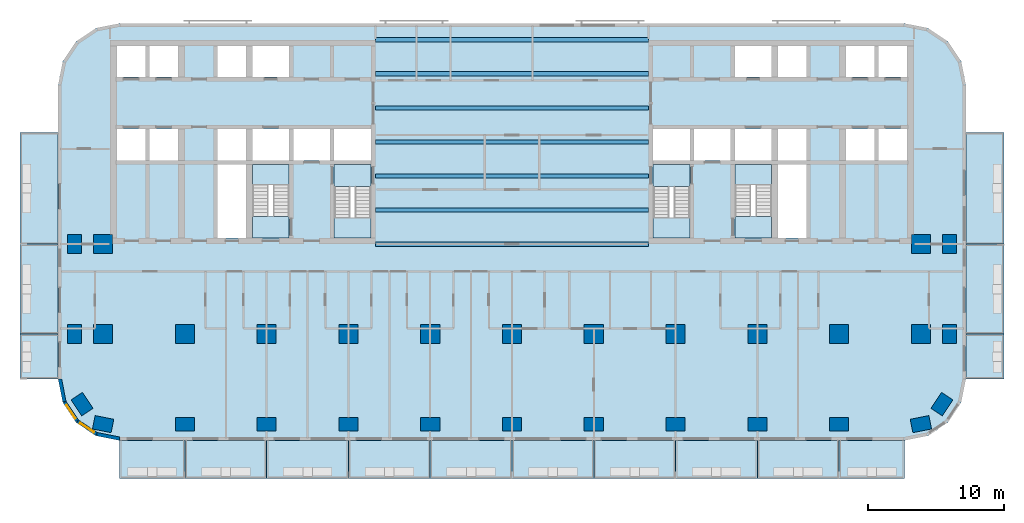
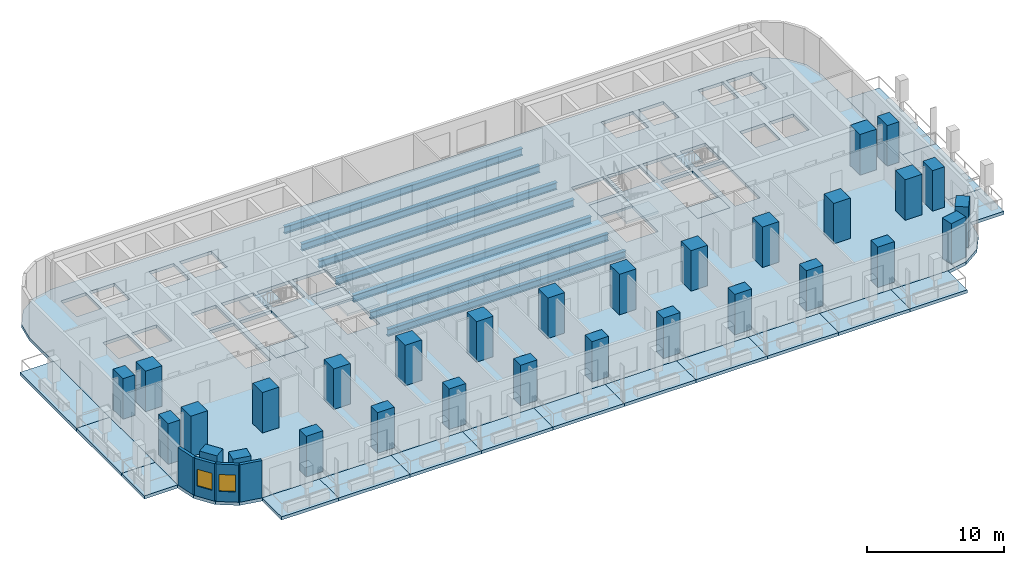
# One storey, part 1 of 13: 30 columns, 25 slabs, 7 beams, 4 walls, 2 windows, 2 openings, 4 elements without a shape of their own.
"""IFC4 building model written with IfcOpenShell, lengths in metres."""

from ifc_helpers import new_model, si_unit, direction, frame, frame_2d, origin, origin_2d, place, context, subcontext, project, spatial, polyline, rectangle, i_section, outline, extrude, material, layer, layer_set, material_profile, profile_set, type_object, element, fill, aggregate, save


model = new_model("IFC4")

# Units and contexts
model_context = context("Model", 3, precision=1e-05, world=origin(), true_north=direction((0.0, 1.0)))
body_context = subcontext(model_context, "Body", "Model", "MODEL_VIEW")
ifc_project = project(units=[si_unit("LENGTHUNIT", "METRE"), si_unit("AREAUNIT", "SQUARE_METRE"), si_unit("VOLUMEUNIT", "CUBIC_METRE"), si_unit("PLANEANGLEUNIT", "RADIAN"), si_unit("MASSUNIT", "GRAM", prefix="KILO")], contexts=[model_context])

# Site, building, storey
site_placement = place(None, origin())
site = spatial("IfcSite", under=ifc_project, at=site_placement, CompositionType="ELEMENT")
building_placement = place(site_placement, origin())
building = spatial("IfcBuilding", under=site, at=building_placement, Name="Torana Hotel and Residences", CompositionType="ELEMENT")
storey_placement = place(building_placement, frame((0.0, 0.0, 60.0)))
storey = spatial("IfcBuildingStorey", under=building, at=storey_placement, Name="L14", CompositionType="ELEMENT", Elevation=60.0)

# Columns
ifc_material_1 = material(Name="Concrete C70/85", Category="concrete")
ifc_material_profile_1 = material_profile(ifc_material_1, rectangle(XDim=1.39990234375, YDim=1.0, at=origin_2d()), Name="RC 1400x1000")
ifc_profile_set_1 = profile_set([ifc_material_profile_1], Name="Concrete C70/85")
column_type_1 = type_object("IfcColumnType", Name="COLUMN RC 1400x1000 C70/85", PredefinedType="COLUMN", material=ifc_profile_set_1)
for number, where, z_axis, x_axis, name in (
    (1, (-32.10009765625, -21.60009765625, 0.0), (0.0, 0.0, 1.0), (0.0, 1.0, 0.0), "Column L14"),
    (2, (-32.10009765625, -15.0, 0.0), (0.0, 0.0, 1.0), (0.0, 1.0, 0.0), "Column L14"),
    (3, (-31.5439453125, -26.73291015625, 0.0), (0.0, 0.0, 1.0), (-0.555584744817, 0.831459915646, 0.0), "Column L14"),
    (4, (-30.0, -28.199951171875, 0.0), (0.0, 0.0, 1.0), (-0.980792089743, 0.195056086032, 0.0), "Column L14"),
    (5, (-24.0, -28.199951171875, 0.0), (0.0, 0.0, 1.0), (1.0, 0.0, 0.0), "Column L14"),
    (6, (-18.0, -28.199951171875, 0.0), (0.0, 0.0, 1.0), (1.0, 0.0, 0.0), "Column L14"),
    (7, (-12.0, -28.199951171875, 0.0), (0.0, 0.0, 1.0), (1.0, 0.0, 0.0), "Column L14"),
    (8, (-6.0, -28.199951171875, 0.0), (0.0, 0.0, 1.0), (1.0, 0.0, 0.0), "Column L14"),
    (9, (0.0, -28.199951171875, 0.0), (0.0, 0.0, 1.0), (1.0, 0.0, 0.0), "Column L14"),
    (10, (6.0, -28.199951171875, 0.0), (0.0, 0.0, 1.0), (1.0, 0.0, 0.0), "Column L14"),
    (11, (12.0, -28.199951171875, 0.0), (0.0, 0.0, 1.0), (1.0, 0.0, 0.0), "Column L14"),
    (12, (18.0, -28.199951171875, 0.0), (0.0, 0.0, 1.0), (1.0, 0.0, 0.0), "Column L14"),
    (13, (24.0, -28.199951171875, 0.0), (0.0, 0.0, 1.0), (1.0, 0.0, 0.0), "Column L14"),
    (14, (30.0, -28.199951171875, 0.0), (0.0, 0.0, 1.0), (0.980792089743, 0.195056086032, 0.0), "Column L14"),
    (15, (31.5439453125, -26.73291015625, 0.0), (0.0, 0.0, 1.0), (0.555584744817, 0.831459915646, 0.0), "Column L14"),
    (16, (32.10009765625, -21.60009765625, 0.0), (0.0, 0.0, 1.0), (0.0, 1.0, 0.0), "Column L14"),
    (17, (32.10009765625, -15.0, 0.0), (0.0, 0.0, 1.0), (0.0, 1.0, 0.0), "Column L14"),
):
    element("IfcColumn", number, at=place(storey_placement, frame(where, z_axis=z_axis, x_axis=x_axis)), inside=storey, type_object=column_type_1, Name=name, PredefinedType="COLUMN", context=body_context, shape_type="SweptSolid", body=[
        extrude(rectangle(XDim=1.39990234375, YDim=1.0, at=origin_2d()), origin(), (0.0, 0.0, 1.0), 3.60009765625),
    ])
ifc_material_2 = material(Name="Concrete C70/85", Category="concrete")
ifc_material_profile_2 = material_profile(ifc_material_2, rectangle(XDim=1.39990234375, YDim=1.39990234375, at=origin_2d()), Name="RC 1400x1400")
ifc_profile_set_2 = profile_set([ifc_material_profile_2], Name="Concrete C70/85")
column_type_2 = type_object("IfcColumnType", Name="COLUMN RC 1400x1400 C70/85", PredefinedType="COLUMN", material=ifc_profile_set_2)
for number, where, z_axis, x_axis, name in (
    (18, (-30.0, -21.60009765625, 0.0), (0.0, 0.0, 1.0), (1.0, 0.0, 0.0), "Column L14"),
    (19, (-30.0, -15.0, 0.0), (0.0, 0.0, 1.0), (1.0, 0.0, 0.0), "Column L14"),
    (20, (-24.0, -21.60009765625, 0.0), (0.0, 0.0, 1.0), (1.0, 0.0, 0.0), "Column L14"),
    (21, (-18.0, -21.60009765625, 0.0), (0.0, 0.0, 1.0), (1.0, 0.0, 0.0), "Column L14"),
    (22, (-12.0, -21.60009765625, 0.0), (0.0, 0.0, 1.0), (1.0, 0.0, 0.0), "Column L14"),
    (23, (-6.0, -21.60009765625, 0.0), (0.0, 0.0, 1.0), (1.0, 0.0, 0.0), "Column L14"),
    (24, (0.0, -21.60009765625, 0.0), (0.0, 0.0, 1.0), (1.0, 0.0, 0.0), "Column L14"),
    (25, (6.0, -21.60009765625, 0.0), (0.0, 0.0, 1.0), (1.0, 0.0, 0.0), "Column L14"),
    (26, (12.0, -21.60009765625, 0.0), (0.0, 0.0, 1.0), (1.0, 0.0, 0.0), "Column L14"),
    (27, (18.0, -21.60009765625, 0.0), (0.0, 0.0, 1.0), (1.0, 0.0, 0.0), "Column L14"),
    (28, (24.0, -21.60009765625, 0.0), (0.0, 0.0, 1.0), (1.0, 0.0, 0.0), "Column L14"),
    (29, (30.0, -21.60009765625, 0.0), (0.0, 0.0, 1.0), (1.0, 0.0, 0.0), "Column L14"),
    (30, (30.0, -15.0, 0.0), (0.0, 0.0, 1.0), (1.0, 0.0, 0.0), "Column L14"),
):
    element("IfcColumn", number, at=place(storey_placement, frame(where, z_axis=z_axis, x_axis=x_axis)), inside=storey, type_object=column_type_2, Name=name, PredefinedType="COLUMN", context=body_context, shape_type="SweptSolid", body=[
        extrude(rectangle(XDim=1.39990234375, YDim=1.39990234375, at=origin_2d()), origin(), (0.0, 0.0, 1.0), 3.60009765625),
    ])

# Beams
ifc_material_3 = material(Name="Steel S355", Category="steel")
ifc_material_profile_3 = material_profile(ifc_material_3, i_section(OverallWidth=0.311279296875, OverallDepth=0.6357421875, WebThickness=0.018310546875, FlangeThickness=0.031494140625, FilletRadius=0.0166015625, at=origin_2d()), Name="610x305x238 UB")
ifc_profile_set_3 = profile_set([ifc_material_profile_3], Name="Steel S355")
beam_type = type_object("IfcBeamType", Name="STEEL GIRDER 610x305x238 UB", PredefinedType="BEAM", material=ifc_profile_set_3)
for number, where, z_axis, x_axis, name in (
    (31, (-10.0, -15.0, -0.597900390625), (1.0, 0.0, 0.0), (0.0, 1.0, 0.0), "Floor girder"),
    (32, (-10.0, -12.5, -0.597900390625), (1.0, 0.0, 0.0), (0.0, 1.0, 0.0), "Floor girder"),
    (33, (-10.0, -10.0, -0.597900390625), (1.0, 0.0, 0.0), (0.0, 1.0, 0.0), "Floor girder"),
    (34, (-10.0, -7.5, -0.597900390625), (1.0, 0.0, 0.0), (0.0, 1.0, 0.0), "Floor girder"),
    (35, (-10.0, -5.0, -0.597900390625), (1.0, 0.0, 0.0), (0.0, 1.0, 0.0), "Floor girder"),
    (36, (-10.0, -2.5, -0.597900390625), (1.0, 0.0, 0.0), (0.0, 1.0, 0.0), "Floor girder"),
    (37, (-10.0, 0.0, -0.597900390625), (1.0, 0.0, 0.0), (0.0, 1.0, 0.0), "Floor girder"),
):
    element("IfcBeam", number, at=place(storey_placement, frame(where, z_axis=z_axis, x_axis=x_axis)), inside=storey, type_object=beam_type, Name=name, PredefinedType="BEAM", context=body_context, shape_type="SweptSolid", body=[
        extrude(i_section(OverallWidth=0.311279296875, OverallDepth=0.6357421875, WebThickness=0.018310546875, FlangeThickness=0.031494140625, FilletRadius=0.0166015625, at=origin_2d()), origin(), (0.0, 0.0, 1.0), 20.0),
    ])

# Slabs
ifc_material_4 = material(Name="Concrete C40/50", Category="concrete")
ifc_layer_1 = layer(ifc_material_4, 0.280029296875)
ifc_layer_set_1 = layer_set([ifc_layer_1], Name="BAL1 BALCONY SLAB 280")
slab_type_1 = type_object("IfcSlabType", Name="BAL1 BALCONY SLAB 280", PredefinedType="USERDEFINED", material=ifc_layer_set_1)
slab_1_placement = place(storey_placement, frame((0.0, 0.0, -0.280029296875)))
element("IfcSlab", 38, at=slab_1_placement, inside=storey, type_object=slab_type_1, Name="Balcony 01", ObjectType="BALCONY", PredefinedType="USERDEFINED", context=body_context, shape_type="SweptSolid", body=[
    extrude(outline(polyline([(-28.800048828125, -32.199951171875), (-24.0, -32.199951171875), (-24.0, -29.39990234375), (-28.800048828125, -29.39990234375), (-28.800048828125, -32.199951171875)])), origin(), (0.0, 0.0, 1.0), 0.280029296875),
])
slab_2_placement = place(storey_placement, frame((0.0, 0.0, -0.280029296875)))
element("IfcSlab", 39, at=slab_2_placement, inside=storey, type_object=slab_type_1, Name="Balcony 02", ObjectType="BALCONY", PredefinedType="USERDEFINED", context=body_context, shape_type="SweptSolid", body=[
    extrude(outline(polyline([(-24.0, -32.199951171875), (-18.0, -32.199951171875), (-18.0, -29.39990234375), (-24.0, -29.39990234375), (-24.0, -32.199951171875)])), origin(), (0.0, 0.0, 1.0), 0.280029296875),
])
slab_3_placement = place(storey_placement, frame((0.0, 0.0, -0.280029296875)))
element("IfcSlab", 40, at=slab_3_placement, inside=storey, type_object=slab_type_1, Name="Balcony 03", ObjectType="BALCONY", PredefinedType="USERDEFINED", context=body_context, shape_type="SweptSolid", body=[
    extrude(outline(polyline([(-18.0, -32.199951171875), (-12.0, -32.199951171875), (-12.0, -29.39990234375), (-18.0, -29.39990234375), (-18.0, -32.199951171875)])), origin(), (0.0, 0.0, 1.0), 0.280029296875),
])
slab_4_placement = place(storey_placement, frame((0.0, 0.0, -0.280029296875)))
element("IfcSlab", 41, at=slab_4_placement, inside=storey, type_object=slab_type_1, Name="Balcony 04", ObjectType="BALCONY", PredefinedType="USERDEFINED", context=body_context, shape_type="SweptSolid", body=[
    extrude(outline(polyline([(-12.0, -32.199951171875), (-6.0, -32.199951171875), (-6.0, -29.39990234375), (-12.0, -29.39990234375), (-12.0, -32.199951171875)])), origin(), (0.0, 0.0, 1.0), 0.280029296875),
])
slab_5_placement = place(storey_placement, frame((0.0, 0.0, -0.280029296875)))
element("IfcSlab", 42, at=slab_5_placement, inside=storey, type_object=slab_type_1, Name="Balcony 05", ObjectType="BALCONY", PredefinedType="USERDEFINED", context=body_context, shape_type="SweptSolid", body=[
    extrude(outline(polyline([(-6.0, -32.199951171875), (0.0, -32.199951171875), (0.0, -29.39990234375), (-6.0, -29.39990234375), (-6.0, -32.199951171875)])), origin(), (0.0, 0.0, 1.0), 0.280029296875),
])
slab_6_placement = place(storey_placement, frame((0.0, 0.0, -0.280029296875)))
element("IfcSlab", 43, at=slab_6_placement, inside=storey, type_object=slab_type_1, Name="Balcony 06", ObjectType="BALCONY", PredefinedType="USERDEFINED", context=body_context, shape_type="SweptSolid", body=[
    extrude(outline(polyline([(0.0, -32.199951171875), (6.0, -32.199951171875), (6.0, -29.39990234375), (0.0, -29.39990234375), (0.0, -32.199951171875)])), origin(), (0.0, 0.0, 1.0), 0.280029296875),
])
slab_7_placement = place(storey_placement, frame((0.0, 0.0, -0.280029296875)))
element("IfcSlab", 44, at=slab_7_placement, inside=storey, type_object=slab_type_1, Name="Balcony 07", ObjectType="BALCONY", PredefinedType="USERDEFINED", context=body_context, shape_type="SweptSolid", body=[
    extrude(outline(polyline([(6.0, -32.199951171875), (12.0, -32.199951171875), (12.0, -29.39990234375), (6.0, -29.39990234375), (6.0, -32.199951171875)])), origin(), (0.0, 0.0, 1.0), 0.280029296875),
])
slab_8_placement = place(storey_placement, frame((0.0, 0.0, -0.280029296875)))
element("IfcSlab", 45, at=slab_8_placement, inside=storey, type_object=slab_type_1, Name="Balcony 08", ObjectType="BALCONY", PredefinedType="USERDEFINED", context=body_context, shape_type="SweptSolid", body=[
    extrude(outline(polyline([(12.0, -32.199951171875), (18.0, -32.199951171875), (18.0, -29.39990234375), (12.0, -29.39990234375), (12.0, -32.199951171875)])), origin(), (0.0, 0.0, 1.0), 0.280029296875),
])
slab_9_placement = place(storey_placement, frame((0.0, 0.0, -0.280029296875)))
element("IfcSlab", 46, at=slab_9_placement, inside=storey, type_object=slab_type_1, Name="Balcony 09", ObjectType="BALCONY", PredefinedType="USERDEFINED", context=body_context, shape_type="SweptSolid", body=[
    extrude(outline(polyline([(18.0, -32.199951171875), (24.0, -32.199951171875), (24.0, -29.39990234375), (18.0, -29.39990234375), (18.0, -32.199951171875)])), origin(), (0.0, 0.0, 1.0), 0.280029296875),
])
slab_10_placement = place(storey_placement, frame((0.0, 0.0, -0.280029296875)))
element("IfcSlab", 47, at=slab_10_placement, inside=storey, type_object=slab_type_1, Name="Balcony 10", ObjectType="BALCONY", PredefinedType="USERDEFINED", context=body_context, shape_type="SweptSolid", body=[
    extrude(outline(polyline([(24.0, -32.199951171875), (28.800048828125, -32.199951171875), (28.800048828125, -29.39990234375), (24.0, -29.39990234375), (24.0, -32.199951171875)])), origin(), (0.0, 0.0, 1.0), 0.280029296875),
])
slab_11_placement = place(storey_placement, frame((0.0, 0.0, -0.280029296875)))
element("IfcSlab", 48, at=slab_11_placement, inside=storey, type_object=slab_type_1, Name="Balcony 11", ObjectType="BALCONY", PredefinedType="USERDEFINED", context=body_context, shape_type="SweptSolid", body=[
    extrude(outline(polyline([(-36.10009765625, -24.89990234375), (-33.300048828125, -24.89990234375), (-33.300048828125, -21.60009765625), (-36.10009765625, -21.60009765625), (-36.10009765625, -24.89990234375)])), origin(), (0.0, 0.0, 1.0), 0.280029296875),
])
slab_12_placement = place(storey_placement, frame((0.0, 0.0, -0.280029296875)))
element("IfcSlab", 49, at=slab_12_placement, inside=storey, type_object=slab_type_1, Name="Balcony 12", ObjectType="BALCONY", PredefinedType="USERDEFINED", context=body_context, shape_type="SweptSolid", body=[
    extrude(outline(polyline([(-36.10009765625, -21.60009765625), (-33.300048828125, -21.60009765625), (-33.300048828125, -15.0), (-36.10009765625, -15.0), (-36.10009765625, -21.60009765625)])), origin(), (0.0, 0.0, 1.0), 0.280029296875),
])
slab_13_placement = place(storey_placement, frame((0.0, 0.0, -0.280029296875)))
element("IfcSlab", 50, at=slab_13_placement, inside=storey, type_object=slab_type_1, Name="Balcony 13", ObjectType="BALCONY", PredefinedType="USERDEFINED", context=body_context, shape_type="SweptSolid", body=[
    extrude(outline(polyline([(-36.10009765625, -15.0), (-33.300048828125, -15.0), (-33.300048828125, -6.800048828125), (-36.10009765625, -6.800048828125), (-36.10009765625, -15.0)])), origin(), (0.0, 0.0, 1.0), 0.280029296875),
])
slab_14_placement = place(storey_placement, frame((0.0, 0.0, -0.280029296875)))
element("IfcSlab", 51, at=slab_14_placement, inside=storey, type_object=slab_type_1, Name="Balcony 14", ObjectType="BALCONY", PredefinedType="USERDEFINED", context=body_context, shape_type="SweptSolid", body=[
    extrude(outline(polyline([(33.300048828125, -24.89990234375), (36.10009765625, -24.89990234375), (36.10009765625, -21.60009765625), (33.300048828125, -21.60009765625), (33.300048828125, -24.89990234375)])), origin(), (0.0, 0.0, 1.0), 0.280029296875),
])
slab_15_placement = place(storey_placement, frame((0.0, 0.0, -0.280029296875)))
element("IfcSlab", 52, at=slab_15_placement, inside=storey, type_object=slab_type_1, Name="Balcony 15", ObjectType="BALCONY", PredefinedType="USERDEFINED", context=body_context, shape_type="SweptSolid", body=[
    extrude(outline(polyline([(33.300048828125, -21.60009765625), (36.10009765625, -21.60009765625), (36.10009765625, -15.0), (33.300048828125, -15.0), (33.300048828125, -21.60009765625)])), origin(), (0.0, 0.0, 1.0), 0.280029296875),
])
slab_16_placement = place(storey_placement, frame((0.0, 0.0, -0.280029296875)))
element("IfcSlab", 53, at=slab_16_placement, inside=storey, type_object=slab_type_1, Name="Balcony 16", ObjectType="BALCONY", PredefinedType="USERDEFINED", context=body_context, shape_type="SweptSolid", body=[
    extrude(outline(polyline([(33.300048828125, -15.0), (36.10009765625, -15.0), (36.10009765625, -6.800048828125), (33.300048828125, -6.800048828125), (33.300048828125, -15.0)])), origin(), (0.0, 0.0, 1.0), 0.280029296875),
])
ifc_material_5 = material(Name="Concrete C40/50", Category="concrete")
ifc_layer_2 = layer(ifc_material_5, 0.280029296875)
ifc_layer_set_2 = layer_set([ifc_layer_2], Name="FLOOR SLAB PT 280")
slab_type_2 = type_object("IfcSlabType", Name="FLOOR SLAB PT 280", PredefinedType="FLOOR", material=ifc_layer_set_2)
slab_17_placement = place(storey_placement, frame((0.0, 0.0, -0.280029296875)))
element("IfcSlab", 54, at=slab_17_placement, inside=storey, type_object=slab_type_2, Name="Floor slab", PredefinedType="FLOOR", context=body_context, shape_type="SweptSolid", body=[
    extrude(outline(polyline([(33.300048828125, -3.300048828125), (32.95751953125, -1.577880859375), (31.98193359375, -0.117919921875), (30.522216796875, 0.857421875), (28.800048828125, 1.199951171875), (-28.800048828125, 1.199951171875), (-30.522216796875, 0.857421875), (-31.98193359375, -0.117919921875), (-32.95751953125, -1.577880859375), (-33.300048828125, -3.300048828125), (-33.300048828125, -24.89990234375), (-32.95751953125, -26.6220703125), (-31.98193359375, -28.08203125), (-30.522216796875, -29.0576171875), (-28.800048828125, -29.39990234375), (28.800048828125, -29.39990234375), (30.522216796875, -29.0576171875), (31.98193359375, -28.08203125), (32.95751953125, -26.6220703125), (33.300048828125, -24.89990234375), (33.300048828125, -3.300048828125)]), holes=[polyline([(-13.050048828125, -14.550048828125), (-10.35009765625, -14.550048828125), (-10.35009765625, -9.14990234375), (-13.050048828125, -9.14990234375), (-13.050048828125, -14.550048828125)]), polyline([(-19.050048828125, -14.550048828125), (-16.35009765625, -14.550048828125), (-16.35009765625, -9.14990234375), (-19.050048828125, -9.14990234375), (-19.050048828125, -14.550048828125)]), polyline([(-19.050048828125, -2.75), (-16.35009765625, -2.75), (-16.35009765625, -0.449951171875), (-19.050048828125, -0.449951171875), (-19.050048828125, -2.75)]), polyline([(-26.60009765625, -2.75), (-24.5, -2.75), (-24.5, -0.449951171875), (-26.60009765625, -0.449951171875), (-26.60009765625, -2.75)]), polyline([(-29.0, -2.75), (-26.89990234375, -2.75), (-26.89990234375, -0.449951171875), (-29.0, -0.449951171875), (-29.0, -2.75)]), polyline([(-26.60009765625, -8.85009765625), (-24.5, -8.85009765625), (-24.5, -6.550048828125), (-26.60009765625, -6.550048828125), (-26.60009765625, -8.85009765625)]), polyline([(-29.0, -8.85009765625), (-26.89990234375, -8.85009765625), (-26.89990234375, -6.550048828125), (-29.0, -6.550048828125), (-29.0, -8.85009765625)]), polyline([(-21.60009765625, -2.75), (-19.5, -2.75), (-19.5, -0.449951171875), (-21.60009765625, -0.449951171875), (-21.60009765625, -2.75)]), polyline([(-21.60009765625, -8.85009765625), (-19.5, -8.85009765625), (-19.5, -6.550048828125), (-21.60009765625, -6.550048828125), (-21.60009765625, -8.85009765625)]), polyline([(-13.050048828125, -8.85009765625), (-10.35009765625, -8.85009765625), (-10.35009765625, -6.550048828125), (-13.050048828125, -6.550048828125), (-13.050048828125, -8.85009765625)]), polyline([(-16.050048828125, -8.85009765625), (-13.35009765625, -8.85009765625), (-13.35009765625, -6.550048828125), (-16.050048828125, -6.550048828125), (-16.050048828125, -8.85009765625)]), polyline([(-19.050048828125, -8.85009765625), (-16.35009765625, -8.85009765625), (-16.35009765625, -6.550048828125), (-19.050048828125, -6.550048828125), (-19.050048828125, -8.85009765625)]), polyline([(-21.60009765625, -14.550048828125), (-19.5, -14.550048828125), (-19.5, -9.14990234375), (-21.60009765625, -9.14990234375), (-21.60009765625, -14.550048828125)]), polyline([(10.35009765625, -14.550048828125), (13.050048828125, -14.550048828125), (13.050048828125, -9.14990234375), (10.35009765625, -9.14990234375), (10.35009765625, -14.550048828125)]), polyline([(16.35009765625, -14.550048828125), (19.050048828125, -14.550048828125), (19.050048828125, -9.14990234375), (16.35009765625, -9.14990234375), (16.35009765625, -14.550048828125)]), polyline([(16.35009765625, -2.75), (19.050048828125, -2.75), (19.050048828125, -0.449951171875), (16.35009765625, -0.449951171875), (16.35009765625, -2.75)]), polyline([(24.5, -2.75), (26.60009765625, -2.75), (26.60009765625, -0.449951171875), (24.5, -0.449951171875), (24.5, -2.75)]), polyline([(26.89990234375, -2.75), (29.0, -2.75), (29.0, -0.449951171875), (26.89990234375, -0.449951171875), (26.89990234375, -2.75)]), polyline([(24.5, -8.85009765625), (26.60009765625, -8.85009765625), (26.60009765625, -6.550048828125), (24.5, -6.550048828125), (24.5, -8.85009765625)]), polyline([(26.89990234375, -8.85009765625), (29.0, -8.85009765625), (29.0, -6.550048828125), (26.89990234375, -6.550048828125), (26.89990234375, -8.85009765625)]), polyline([(19.5, -2.75), (21.60009765625, -2.75), (21.60009765625, -0.449951171875), (19.5, -0.449951171875), (19.5, -2.75)]), polyline([(19.5, -8.85009765625), (21.60009765625, -8.85009765625), (21.60009765625, -6.550048828125), (19.5, -6.550048828125), (19.5, -8.85009765625)]), polyline([(10.35009765625, -8.85009765625), (13.050048828125, -8.85009765625), (13.050048828125, -6.550048828125), (10.35009765625, -6.550048828125), (10.35009765625, -8.85009765625)]), polyline([(13.35009765625, -8.85009765625), (16.050048828125, -8.85009765625), (16.050048828125, -6.550048828125), (13.35009765625, -6.550048828125), (13.35009765625, -8.85009765625)]), polyline([(16.35009765625, -8.85009765625), (19.050048828125, -8.85009765625), (19.050048828125, -6.550048828125), (16.35009765625, -6.550048828125), (16.35009765625, -8.85009765625)]), polyline([(19.5, -14.550048828125), (21.60009765625, -14.550048828125), (21.60009765625, -9.14990234375), (19.5, -9.14990234375), (19.5, -14.550048828125)])]), origin(), (0.0, 0.0, 1.0), 0.280029296875),
])

# Stair, slabs
ifc_material_6 = material(Name="Concrete C40/50 precast", Category="concrete")
stair_type_1 = type_object("IfcStairType", Name="STAIR ST1 HALF TURN 1200", PredefinedType="HALF_TURN_STAIR", material=ifc_material_6)
stair_1_placement = place(storey_placement, origin())
stair_1 = element("IfcStair", 55, at=stair_1_placement, inside=storey, type_object=stair_type_1, Name="Stair ST1 L14", PredefinedType="HALF_TURN_STAIR")
ifc_material_7 = material(Name="Concrete C40/50 precast", Category="concrete")
ifc_layer_3 = layer(ifc_material_7, 0.199951171875)
ifc_layer_set_3 = layer_set([ifc_layer_3], Name="STAIR LANDING 200")
slab_type_3 = type_object("IfcSlabType", Name="STAIR LANDING 200", PredefinedType="LANDING", material=ifc_layer_set_3)
slab_18_placement = place(storey_placement, frame((0.0, 0.0, 1.60009765625)))
slab_18 = element("IfcSlab", 56, at=slab_18_placement, type_object=slab_type_3, Name="ST1 landing 1", PredefinedType="LANDING", context=body_context, shape_type="SweptSolid", body=[
    extrude(outline(polyline([(-13.050048828125, -14.550048828125), (-10.35009765625, -14.550048828125), (-10.35009765625, -13.090087890625), (-13.050048828125, -13.090087890625), (-13.050048828125, -14.550048828125)])), origin(), (0.0, 0.0, 1.0), 0.199951171875),
])
slab_19_placement = place(storey_placement, frame((0.0, 0.0, -0.199951171875)))
slab_19 = element("IfcSlab", 57, at=slab_19_placement, type_object=slab_type_3, Name="ST1 landing 2", PredefinedType="LANDING", context=body_context, shape_type="SweptSolid", body=[
    extrude(outline(polyline([(-13.050048828125, -10.75), (-10.35009765625, -10.75), (-10.35009765625, -9.14990234375), (-13.050048828125, -9.14990234375), (-13.050048828125, -10.75)])), origin(), (0.0, 0.0, 1.0), 0.199951171875),
])
aggregate(stair_1, [slab_18, slab_19])

ifc_material_8 = material(Name="Concrete C40/50 precast", Category="concrete")
stair_type_2 = type_object("IfcStairType", Name="STAIR ST2 HALF TURN 1200", PredefinedType="HALF_TURN_STAIR", material=ifc_material_8)
stair_2_placement = place(storey_placement, origin())
stair_2 = element("IfcStair", 58, at=stair_2_placement, inside=storey, type_object=stair_type_2, Name="Stair ST2 L14", PredefinedType="HALF_TURN_STAIR")
slab_20_placement = place(storey_placement, frame((0.0, 0.0, 1.60009765625)))
slab_20 = element("IfcSlab", 59, at=slab_20_placement, type_object=slab_type_3, Name="ST2 landing 1", PredefinedType="LANDING", context=body_context, shape_type="SweptSolid", body=[
    extrude(outline(polyline([(-19.050048828125, -10.610107421875), (-16.35009765625, -10.610107421875), (-16.35009765625, -9.14990234375), (-19.050048828125, -9.14990234375), (-19.050048828125, -10.610107421875)])), origin(), (0.0, 0.0, 1.0), 0.199951171875),
])
slab_21_placement = place(storey_placement, frame((0.0, 0.0, -0.199951171875)))
slab_21 = element("IfcSlab", 60, at=slab_21_placement, type_object=slab_type_3, Name="ST2 landing 2", PredefinedType="LANDING", context=body_context, shape_type="SweptSolid", body=[
    extrude(outline(polyline([(-19.050048828125, -14.550048828125), (-16.35009765625, -14.550048828125), (-16.35009765625, -12.949951171875), (-19.050048828125, -12.949951171875), (-19.050048828125, -14.550048828125)])), origin(), (0.0, 0.0, 1.0), 0.199951171875),
])
aggregate(stair_2, [slab_20, slab_21])

ifc_material_9 = material(Name="Concrete C40/50 precast", Category="concrete")
stair_type_3 = type_object("IfcStairType", Name="STAIR ST3 HALF TURN 1200", PredefinedType="HALF_TURN_STAIR", material=ifc_material_9)
stair_3_placement = place(storey_placement, origin())
stair_3 = element("IfcStair", 61, at=stair_3_placement, inside=storey, type_object=stair_type_3, Name="Stair ST3 L14", PredefinedType="HALF_TURN_STAIR")
slab_22_placement = place(storey_placement, frame((0.0, 0.0, 1.60009765625)))
slab_22 = element("IfcSlab", 62, at=slab_22_placement, type_object=slab_type_3, Name="ST3 landing 1", PredefinedType="LANDING", context=body_context, shape_type="SweptSolid", body=[
    extrude(outline(polyline([(10.35009765625, -14.550048828125), (13.050048828125, -14.550048828125), (13.050048828125, -13.090087890625), (10.35009765625, -13.090087890625), (10.35009765625, -14.550048828125)])), origin(), (0.0, 0.0, 1.0), 0.199951171875),
])
slab_23_placement = place(storey_placement, frame((0.0, 0.0, -0.199951171875)))
slab_23 = element("IfcSlab", 63, at=slab_23_placement, type_object=slab_type_3, Name="ST3 landing 2", PredefinedType="LANDING", context=body_context, shape_type="SweptSolid", body=[
    extrude(outline(polyline([(10.35009765625, -10.75), (13.050048828125, -10.75), (13.050048828125, -9.14990234375), (10.35009765625, -9.14990234375), (10.35009765625, -10.75)])), origin(), (0.0, 0.0, 1.0), 0.199951171875),
])
aggregate(stair_3, [slab_22, slab_23])

ifc_material_10 = material(Name="Concrete C40/50 precast", Category="concrete")
stair_type_4 = type_object("IfcStairType", Name="STAIR ST4 HALF TURN 1200", PredefinedType="HALF_TURN_STAIR", material=ifc_material_10)
stair_4_placement = place(storey_placement, origin())
stair_4 = element("IfcStair", 64, at=stair_4_placement, inside=storey, type_object=stair_type_4, Name="Stair ST4 L14", PredefinedType="HALF_TURN_STAIR")
slab_24_placement = place(storey_placement, frame((0.0, 0.0, 1.60009765625)))
slab_24 = element("IfcSlab", 65, at=slab_24_placement, type_object=slab_type_3, Name="ST4 landing 1", PredefinedType="LANDING", context=body_context, shape_type="SweptSolid", body=[
    extrude(outline(polyline([(16.35009765625, -10.610107421875), (19.050048828125, -10.610107421875), (19.050048828125, -9.14990234375), (16.35009765625, -9.14990234375), (16.35009765625, -10.610107421875)])), origin(), (0.0, 0.0, 1.0), 0.199951171875),
])
slab_25_placement = place(storey_placement, frame((0.0, 0.0, -0.199951171875)))
slab_25 = element("IfcSlab", 66, at=slab_25_placement, type_object=slab_type_3, Name="ST4 landing 2", PredefinedType="LANDING", context=body_context, shape_type="SweptSolid", body=[
    extrude(outline(polyline([(16.35009765625, -14.550048828125), (19.050048828125, -14.550048828125), (19.050048828125, -12.949951171875), (16.35009765625, -12.949951171875), (16.35009765625, -14.550048828125)])), origin(), (0.0, 0.0, 1.0), 0.199951171875),
])
aggregate(stair_4, [slab_24, slab_25])

# Wall
ifc_material_11 = material(Name="Black aluminium composite panel", Category="aluminium")
ifc_layer_4 = layer(ifc_material_11, 0.00390625, Name="Cladding", Category="cladding")
ifc_material_12 = material(Name="Ventilated air cavity")
ifc_layer_5 = layer(ifc_material_12, 0.0400390625, Name="Ventilated cavity", Category="cavity")
ifc_material_13 = material(Name="Mineral wool insulation")
ifc_layer_6 = layer(ifc_material_13, 0.090087890625, Name="Insulation", Category="insulation")
ifc_material_14 = material(Name="Steel S280GD", Category="steel")
ifc_layer_7 = layer(ifc_material_14, 0.092041015625, Name="Steel stud frame", Category="structure")
ifc_material_15 = material(Name="Fire rated plasterboard")
ifc_layer_8 = layer(ifc_material_15, 0.011962890625, Name="Inner board", Category="finish")
ifc_layer_9 = layer(ifc_material_15, 0.011962890625, Name="Second board", Category="finish")
ifc_layer_set_4 = layer_set([ifc_layer_4, ifc_layer_5, ifc_layer_6, ifc_layer_7, ifc_layer_8, ifc_layer_9], Name="EW1 EXTERNAL WALL BLACK METAL CLAD 250")
wall_type = type_object("IfcWallType", Name="EW1 EXTERNAL WALL BLACK METAL CLAD 250", PredefinedType="SOLIDWALL", material=ifc_layer_set_4)
wall_1_placement = place(storey_placement, frame((-33.172607421875, -24.89990234375, 0.0), z_axis=(0.0, 0.0, 1.0), x_axis=(0.195166572128, -0.980770110232, 0.0)))
element("IfcWall", 67, at=wall_1_placement, inside=storey, type_object=wall_type, Name="External wall L14 e0.10", PredefinedType="SOLIDWALL", context=body_context, shape_type="SweptSolid", body=[
    extrude(rectangle(XDim=1.68115234375, YDim=0.25, at=frame_2d((0.840576171875, 0.0))), origin(), (0.0, 0.0, 1.0), 3.320068359375),
])

# Wall, opening, window
wall_2_placement = place(storey_placement, frame((-32.825927734375, -26.593994140625, 0.0), z_axis=(0.0, 0.0, 1.0), x_axis=(0.55555029066, -0.831482937015, 0.0)))
wall_2 = element("IfcWall", 68, at=wall_2_placement, inside=storey, type_object=wall_type, Name="External wall L14 e0.11", PredefinedType="SOLIDWALL", context=body_context, shape_type="SweptSolid", body=[
    extrude(rectangle(XDim=1.65625, YDim=0.25, at=frame_2d((0.828125, 0.0))), origin(), (0.0, 0.0, 1.0), 3.320068359375),
])
opening_1_placement = place(wall_2_placement, frame((0.228271484375, 0.0, 0.89990234375)))
opening_1 = element("IfcOpeningElement", 69, at=opening_1_placement, cuts=wall_2, Name="Opening W5", PredefinedType="OPENING", context=body_context, shape_type="SweptSolid", body=[
    extrude(rectangle(XDim=1.199951171875, YDim=1.5, at=frame_2d((0.60009765625, 0.75))), frame((0.0, 0.135009765625, 0.0), z_axis=(0.0, -1.0, 0.0), x_axis=(1.0, 0.0, 0.0)), (0.0, 0.0, 1.0), 0.27001953125),
])
ifc_material_16 = material(Name="Dark glass in black aluminium frame", Category="aluminium")
window_type = type_object("IfcWindowType", Name="W5 CORNER FACET WINDOW 1200x1500", PartitioningType="SINGLE_PANEL", PredefinedType="WINDOW", material=ifc_material_16)
window_1_placement = place(opening_1_placement, origin())
window_1 = element("IfcWindow", 70, at=window_1_placement, inside=storey, type_object=window_type, Name="Window L14 e0.11", OverallHeight=1.5, OverallWidth=1.199951171875, PartitioningType="SINGLE_PANEL", PredefinedType="WINDOW", context=body_context, shape_type="SweptSolid", body=[
    extrude(rectangle(XDim=1.199951171875, YDim=1.5, at=frame_2d((0.60009765625, 0.75))), frame((0.0, 0.030029296875, 0.0), z_axis=(0.0, -1.0, 0.0), x_axis=(1.0, 0.0, 0.0)), (0.0, 0.0, 1.0), 0.06005859375),
])
fill(opening_1, window_1)

wall_3_placement = place(storey_placement, frame((-31.87109375, -28.005615234375, 0.0), z_axis=(0.0, 0.0, 1.0), x_axis=(0.831482937015, -0.55555029066, 0.0)))
wall_3 = element("IfcWall", 71, at=wall_3_placement, inside=storey, type_object=wall_type, Name="External wall L14 e0.12", PredefinedType="SOLIDWALL", context=body_context, shape_type="SweptSolid", body=[
    extrude(rectangle(XDim=1.65625, YDim=0.25, at=frame_2d((0.828125, 0.0))), origin(), (0.0, 0.0, 1.0), 3.320068359375),
])
opening_2_placement = place(wall_3_placement, frame((0.228271484375, 0.0, 0.89990234375)))
opening_2 = element("IfcOpeningElement", 72, at=opening_2_placement, cuts=wall_3, Name="Opening W5", PredefinedType="OPENING", context=body_context, shape_type="SweptSolid", body=[
    extrude(rectangle(XDim=1.199951171875, YDim=1.5, at=frame_2d((0.60009765625, 0.75))), frame((0.0, 0.135009765625, 0.0), z_axis=(0.0, -1.0, 0.0), x_axis=(1.0, 0.0, 0.0)), (0.0, 0.0, 1.0), 0.27001953125),
])
window_2_placement = place(opening_2_placement, origin())
window_2 = element("IfcWindow", 73, at=window_2_placement, inside=storey, type_object=window_type, Name="Window L14 e0.12", OverallHeight=1.5, OverallWidth=1.199951171875, PartitioningType="SINGLE_PANEL", PredefinedType="WINDOW", context=body_context, shape_type="SweptSolid", body=[
    extrude(rectangle(XDim=1.199951171875, YDim=1.5, at=frame_2d((0.60009765625, 0.75))), frame((0.0, 0.030029296875, 0.0), z_axis=(0.0, -1.0, 0.0), x_axis=(1.0, 0.0, 0.0)), (0.0, 0.0, 1.0), 0.06005859375),
])
fill(opening_2, window_2)

# Wall
wall_4_placement = place(storey_placement, frame((-30.448974609375, -28.944580078125, 0.0), z_axis=(0.0, 0.0, 1.0), x_axis=(0.980775640221, -0.19513878023, 0.0)))
element("IfcWall", 74, at=wall_4_placement, inside=storey, type_object=wall_type, Name="External wall L14 e0.13", PredefinedType="SOLIDWALL", context=body_context, shape_type="SweptSolid", body=[
    extrude(rectangle(XDim=1.681396484375, YDim=0.25, at=frame_2d((0.8408203125, 0.0))), origin(), (0.0, 0.0, 1.0), 3.320068359375),
])

save(model, "model.ifc")
